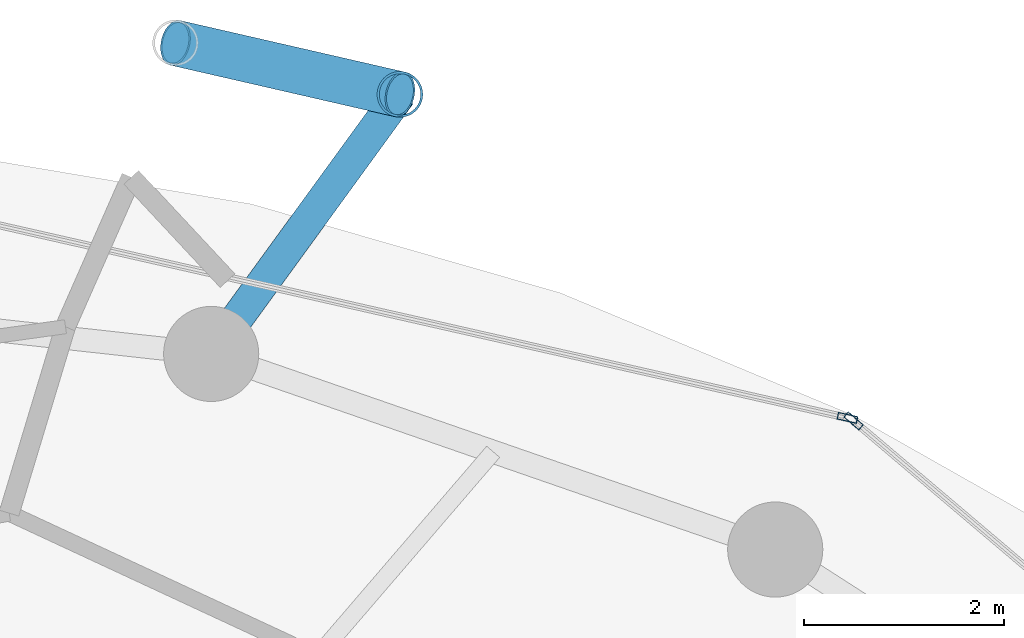
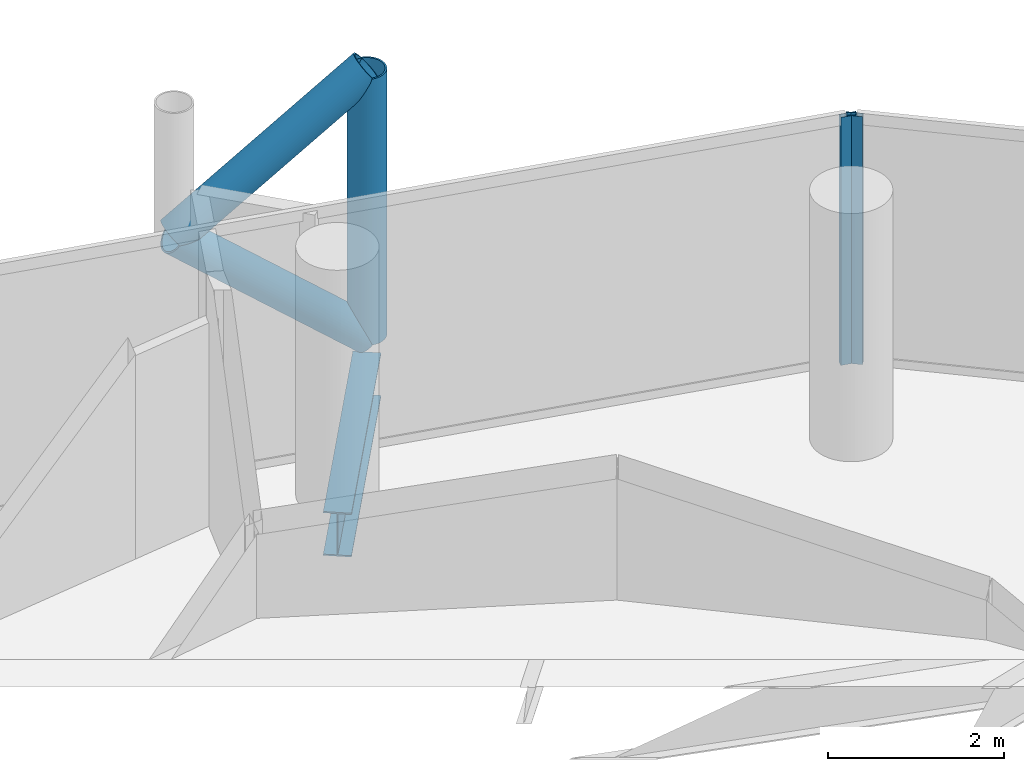
# One storey, part 20 of 26: 5 members, 1 beam, 2 elements without a shape of their own.
"""IFC4 building model written with IfcOpenShell, lengths in metres."""

import ifcopenshell
import ifcopenshell.guid

model = None  # the IFC model being written
_history = None  # IfcOwnerHistory: only IFC2X3 demands one
_inside = {}  # id of a spatial element -> (the spatial element, [elements in it])
_under = {}  # id of a project, library or spatial element -> (it, [spatial elements below it])
_declared = {}  # id of a project -> (the project, [libraries it declares])
_typed = {}  # id of a type object -> (the type object, [elements of that type])
_made_of = {}  # id of a material, layer set ... -> (it, [elements and type objects made of it])


def new_model(schema):
    """Start an empty IFC model of exactly this schema.

    Asked for "IFC4X3", IfcOpenShell would pick the latest addendum, in which some entities
    have other attributes; the version numbers below select the first issue.
    IFC2X3 requires an IfcOwnerHistory on every rooted entity: one is made here for all.
    """
    global model, _history
    if schema == "IFC4X3":
        model = ifcopenshell.file(schema_version=(4, 3, 0, 0))
    else:
        model = ifcopenshell.file(schema=schema)
    _inside.clear()
    _under.clear()
    _declared.clear()
    _typed.clear()
    _made_of.clear()
    _history = None
    if model.schema == "IFC2X3":
        org = make("IfcOrganization", Name="unknown")
        user = make(
            "IfcPersonAndOrganization",
            ThePerson=make("IfcPerson", FamilyName="unknown"),
            TheOrganization=org,
        )
        app = make(
            "IfcApplication",
            ApplicationDeveloper=org,
            Version="unknown",
            ApplicationFullName="unknown",
            ApplicationIdentifier="unknown",
        )
        _history = make(
            "IfcOwnerHistory",
            OwningUser=user,
            OwningApplication=app,
            ChangeAction="ADDED",
            CreationDate=0,
        )
    return model


def make(cls, **values):
    """One entity of the class cls with the attributes given. An attribute that is None is left unset."""
    return model.create_entity(
        cls, **{name: value for name, value in values.items() if value is not None}
    )


def rooted(cls, **values):
    """An entity with a GlobalId (a new one), such as an element, a storey or a relation."""
    return make(cls, GlobalId=ifcopenshell.guid.new(), OwnerHistory=_history, **values)


def si_unit(unit_type, name, prefix=None):
    """IfcSIUnit, for example si_unit("LENGTHUNIT", "METRE", prefix="MILLI")."""
    return make("IfcSIUnit", UnitType=unit_type, Prefix=prefix, Name=name)


def assignment(units):
    """IfcUnitAssignment: the units of a project."""
    return None if units is None else make("IfcUnitAssignment", Units=units)


def point(xyz):
    """IfcCartesianPoint."""
    return None if xyz is None else make("IfcCartesianPoint", Coordinates=xyz)


def direction(xyz):
    """IfcDirection."""
    return None if xyz is None else make("IfcDirection", DirectionRatios=xyz)


def frame(location, z_axis=None, x_axis=None):
    """IfcAxis2Placement3D, a coordinate frame: its origin and axes. An axis left out is left unset."""
    return make(
        "IfcAxis2Placement3D",
        Location=point(location),
        Axis=direction(z_axis),
        RefDirection=direction(x_axis),
    )


def frame_2d(location, x_axis=None):
    """IfcAxis2Placement2D, a coordinate frame in the plane: its origin and x axis."""
    return make(
        "IfcAxis2Placement2D", Location=point(location), RefDirection=direction(x_axis)
    )


def origin():
    """The frame at (0, 0, 0) with its axes left unset."""
    return frame((0.0, 0.0, 0.0))


def origin_2d():
    """The frame at (0, 0) in the plane with its x axis left unset."""
    return frame_2d((0.0, 0.0))


def place(relative_to, where):
    """IfcLocalPlacement: puts the frame where relative to a parent placement (None: the world)."""
    return make(
        "IfcLocalPlacement", PlacementRelTo=relative_to, RelativePlacement=where
    )


def context(
    kind, dimensions, precision=None, world=None, true_north=None, identifier=None
):
    """IfcGeometricRepresentationContext, for example the 3D "Model" context."""
    return make(
        "IfcGeometricRepresentationContext",
        ContextIdentifier=identifier,
        ContextType=kind,
        CoordinateSpaceDimension=dimensions,
        Precision=precision,
        WorldCoordinateSystem=world,
        TrueNorth=true_north,
    )


def subcontext(parent, identifier, kind, view, scale=None):
    """IfcGeometricRepresentationSubContext, for example "Body" below "Model"."""
    return make(
        "IfcGeometricRepresentationSubContext",
        ContextIdentifier=identifier,
        ContextType=kind,
        ParentContext=parent,
        TargetScale=scale,
        TargetView=view,
    )


def project(units=None, contexts=None):
    """IfcProject with its units and contexts."""
    return rooted(
        "IfcProject",
        Name="project",
        RepresentationContexts=contexts,
        UnitsInContext=assignment(units),
    )


def spatial(cls, under=None, at=None, **own):
    """A site, building, storey or space (cls), placed at a placement, below another one or the project."""
    s = rooted(cls, ObjectPlacement=at, **own)
    if under is not None:
        _under.setdefault(under.id(), (under, []))[1].append(s)
    return s


def profile(cls, at=None, kind="AREA", **sizes):
    """A parametric profile (cls). Its sizes go by their IFC names, for example OverallWidth=200.0."""
    return make(cls, ProfileType=kind, Position=at, **sizes)


def hollow_rectangle(**sizes):
    """IfcRectangleHollowProfileDef."""
    return profile("IfcRectangleHollowProfileDef", **sizes)


def hollow_circle(**sizes):
    """IfcCircleHollowProfileDef."""
    return profile("IfcCircleHollowProfileDef", **sizes)


def i_section(**sizes):
    """IfcIShapeProfileDef."""
    return profile("IfcIShapeProfileDef", **sizes)


def extrude(swept, where, along, depth):
    """IfcExtrudedAreaSolid: the profile swept, set in the frame where, extruded along a direction by depth."""
    return make(
        "IfcExtrudedAreaSolid",
        SweptArea=swept,
        Position=where,
        ExtrudedDirection=direction(along),
        Depth=depth,
    )


def shape(context_of_items, identifier, shape_type, items):
    """IfcShapeRepresentation: the items that make up one representation, for example the "Body"."""
    return make(
        "IfcShapeRepresentation",
        ContextOfItems=context_of_items,
        RepresentationIdentifier=identifier,
        RepresentationType=shape_type,
        Items=items,
    )


def material(Name=None, Category=None):
    """IfcMaterial."""
    return make("IfcMaterial", Name=Name, Category=Category)


def layer(
    of_material, thickness, ventilated=None, Name=None, Category=None, Priority=None
):
    """IfcMaterialLayer: one layer of a wall or slab, of a material (None: an air gap)."""
    return make(
        "IfcMaterialLayer",
        Material=of_material,
        LayerThickness=thickness,
        IsVentilated=ventilated,
        Name=Name,
        Category=Category,
        Priority=Priority,
    )


def layer_set(layers, Name=None):
    """IfcMaterialLayerSet."""
    return make("IfcMaterialLayerSet", MaterialLayers=layers, LayerSetName=Name)


def material_profile(
    of_material, cross_section, Name=None, Category=None, Priority=None
):
    """IfcMaterialProfile: a cross section and its material."""
    return make(
        "IfcMaterialProfile",
        Name=Name,
        Material=of_material,
        Profile=cross_section,
        Priority=Priority,
        Category=Category,
    )


def profile_set(profiles, Name=None, composite=None):
    """IfcMaterialProfileSet."""
    return make(
        "IfcMaterialProfileSet",
        Name=Name,
        MaterialProfiles=profiles,
        CompositeProfile=composite,
    )


def made_of(thing, what):
    """Note that an element or type object is made of a material, layer set ...; save() writes the relation."""
    if what is not None:
        _made_of.setdefault(what.id(), (what, []))[1].append(thing)
    return thing


def type_object(cls, material=None, **own):
    """A type object (cls), such as IfcWallType, which elements share."""
    return made_of(rooted(cls, **own), material)


def element(
    cls,
    number,
    at=None,
    inside=None,
    cuts=None,
    type_object=None,
    material=None,
    context=None,
    identifier="Body",
    shape_type=None,
    held_by="IfcProductDefinitionShape",
    body=None,
    shapes=None,
    **own,
):
    """One element of the class cls, such as IfcWall. Its Tag is "e" and its number.

    at: its placement. inside: the storey or other place that contains it. cuts: it is an
    opening in that element (IfcRelVoidsElement). A single representation is given by context,
    identifier, shape_type and body (its items); several are given by shapes. held_by: the class
    of the entity that holds the representations. save() writes the other relations.
    """
    e = rooted(cls, Tag="e%d" % number, ObjectPlacement=at, **own)
    if body is not None:
        shapes = [shape(context, identifier, shape_type, body)]
    if shapes is not None:
        e.Representation = make(held_by, Representations=shapes)
    if inside is not None:
        _inside.setdefault(inside.id(), (inside, []))[1].append(e)
    if cuts is not None:
        rooted(
            "IfcRelVoidsElement", RelatingBuildingElement=cuts, RelatedOpeningElement=e
        )
    if type_object is not None:
        _typed.setdefault(type_object.id(), (type_object, []))[1].append(e)
    return made_of(e, material)


def aggregate(whole, parts):
    """IfcRelAggregates: a whole, such as a stair, and the parts it consists of."""
    return rooted("IfcRelAggregates", RelatingObject=whole, RelatedObjects=parts)


def save(model, path):
    """Write the relations noted so far, then the file.

    IfcRelAggregates (storeys below a building ...), IfcRelContainedInSpatialStructure (elements
    in a storey), IfcRelDefinesByType, IfcRelAssociatesMaterial and IfcRelDeclares: one each for
    every whole, place, type object, material and project.
    """
    for whole, parts in _under.values():
        aggregate(whole, parts)
    for where, things in _inside.values():
        rooted(
            "IfcRelContainedInSpatialStructure",
            RelatedElements=things,
            RelatingStructure=where,
        )
    for kind, things in _typed.values():
        rooted("IfcRelDefinesByType", RelatedObjects=things, RelatingType=kind)
    for what, things in _made_of.values():
        rooted("IfcRelAssociatesMaterial", RelatedObjects=things, RelatingMaterial=what)
    for by, libraries in _declared.values():
        rooted("IfcRelDeclares", RelatingContext=by, RelatedDefinitions=libraries)
    model.write(path)


model = new_model("IFC4")

# Units and contexts
model_context = context("Model", 3, precision=1e-05, world=origin(), true_north=direction((0.0, 1.0)))
body_context = subcontext(model_context, "Body", "Model", "MODEL_VIEW")
ifc_project = project(units=[si_unit("LENGTHUNIT", "METRE"), si_unit("AREAUNIT", "SQUARE_METRE"), si_unit("VOLUMEUNIT", "CUBIC_METRE"), si_unit("PLANEANGLEUNIT", "RADIAN"), si_unit("MASSUNIT", "GRAM", prefix="KILO")], contexts=[model_context])

# Site, building, storey
site_placement = place(None, origin())
site = spatial("IfcSite", under=ifc_project, at=site_placement, CompositionType="ELEMENT")
building_placement = place(site_placement, origin())
building = spatial("IfcBuilding", under=site, at=building_placement, Name="Nuhasar Tower", CompositionType="ELEMENT")
storey_placement = place(building_placement, frame((0.0, 0.0, 170.050048828125)))
storey = spatial("IfcBuildingStorey", under=building, at=storey_placement, Name="L41", CompositionType="ELEMENT", Elevation=170.050048828125)

# Beam
ifc_material_1 = material(Name="Steel S355", Category="steel")
ifc_material_profile_1 = material_profile(ifc_material_1, i_section(OverallWidth=0.323974609375, OverallDepth=0.611083984375, WebThickness=0.0126953125, FlangeThickness=0.01904296875, at=origin_2d()), Name="W24X104")
ifc_profile_set_1 = profile_set([ifc_material_profile_1], Name="Steel S355")
beam_type = type_object("IfcBeamType", Name="BM-TIE-W24X104", PredefinedType="BEAM", material=ifc_profile_set_1)
beam_placement = place(storey_placement, frame((45.04296875, 45.68408203125, -0.554931640625), z_axis=(0.588185286445, 0.808726201387, 0.0), x_axis=(-0.808726201387, 0.588185286445, 0.0)))
element("IfcBeam", 1, at=beam_placement, inside=storey, type_object=beam_type, Name="L41 Exoskeleton Node Tie Beam 03", PredefinedType="BEAM", context=body_context, shape_type="SweptSolid", body=[
    extrude(i_section(OverallWidth=0.323974609375, OverallDepth=0.611083984375, WebThickness=0.0126953125, FlangeThickness=0.01904296875, at=origin_2d()), origin(), (0.0, 0.0, 1.0), 3.204833984375),
])

# Curtain wall, member
ifc_material_2 = material(Name="Aluminium 6063-T6", Category="aluminium")
ifc_layer = layer(ifc_material_2, 0.199951171875)
ifc_layer_set = layer_set([ifc_layer], Name="Aluminium 6063-T6")
curtain_wall_type = type_object("IfcCurtainWallType", Name="CW-Z2-HTL", PredefinedType="NOTDEFINED", material=ifc_layer_set)
curtain_wall_1_placement = place(storey_placement, origin())
curtain_wall_1 = element("IfcCurtainWall", 2, at=curtain_wall_1_placement, inside=storey, type_object=curtain_wall_type, Name="L41 Unitised Curtain Wall 02", PredefinedType="NOTDEFINED")
ifc_material_profile_2 = material_profile(ifc_material_2, hollow_rectangle(XDim=0.070068359375, YDim=0.199951171875, WallThickness=0.0048828125, at=origin_2d()), Name="CWM-3")
ifc_profile_set_2 = profile_set([ifc_material_profile_2], Name="Aluminium 6063-T6")
member_type_1 = type_object("IfcMemberType", Name="CW-MUL-S3", PredefinedType="MULLION", material=ifc_profile_set_2)
member_1_placement = place(storey_placement, frame((51.456787109375, 45.015380859375, 0.0), z_axis=(0.0, 0.0, 1.0), x_axis=(-0.646374438324, -0.763020370292, 0.0)))
member_1 = element("IfcMember", 3, at=member_1_placement, type_object=member_type_1, Name="CW-Z2 mullion 2", PredefinedType="MULLION", context=body_context, shape_type="SweptSolid", body=[
    extrude(hollow_rectangle(XDim=0.070068359375, YDim=0.199951171875, WallThickness=0.0048828125, at=origin_2d()), origin(), (0.0, 0.0, 1.0), 3.449951171875),
])
aggregate(curtain_wall_1, [member_1])

curtain_wall_2_placement = place(storey_placement, origin())
curtain_wall_2 = element("IfcCurtainWall", 4, at=curtain_wall_2_placement, inside=storey, type_object=curtain_wall_type, Name="L41 Unitised Curtain Wall 03", PredefinedType="NOTDEFINED")
member_2_placement = place(storey_placement, frame((51.395751953125, 45.045654296875, 0.0), z_axis=(0.0, 0.0, 1.0), x_axis=(-0.22139729566, -0.975183694221, 0.0)))
member_2 = element("IfcMember", 5, at=member_2_placement, type_object=member_type_1, Name="CW-Z2 mullion 1", PredefinedType="MULLION", context=body_context, shape_type="SweptSolid", body=[
    extrude(hollow_rectangle(XDim=0.070068359375, YDim=0.199951171875, WallThickness=0.0048828125, at=origin_2d()), origin(), (0.0, 0.0, 1.0), 3.449951171875),
])
aggregate(curtain_wall_2, [member_2])

# Members
ifc_material_3 = material(Name="Steel S460", Category="steel")
ifc_material_profile_3 = material_profile(ifc_material_3, hollow_circle(Radius=0.228515625, WallThickness=0.022216796875, at=origin_2d()), Name="HSS457X22.2")
ifc_profile_set_3 = profile_set([ifc_material_profile_3], Name="Steel S460")
member_type_2 = type_object("IfcMemberType", Name="EXO-BRONZE-457", PredefinedType="BRACE", material=ifc_profile_set_3)
member_3_placement = place(storey_placement, frame((46.927978515625, 48.27587890625, 0.0), z_axis=(0.0, 0.0, 1.0), x_axis=(1.0, 0.0, 0.0)))
element("IfcMember", 6, at=member_3_placement, inside=storey, type_object=member_type_2, Name="L41 Exoskeleton Chord Column EC-03A", PredefinedType="BRACE", context=body_context, shape_type="SweptSolid", body=[
    extrude(hollow_circle(Radius=0.228515625, WallThickness=0.022216796875, at=origin_2d()), origin(), (0.0, 0.0, 1.0), 3.699951171875),
])
member_4_placement = place(storey_placement, frame((46.927978515625, 48.27587890625, 0.0), z_axis=(-0.759538919781, 0.174190239035, 0.626704388019), x_axis=(-0.223533724104, -0.974696195842, 0.0)))
element("IfcMember", 7, at=member_4_placement, inside=storey, type_object=member_type_2, Name="L41 Bronze Diagrid Brace W1-03", PredefinedType="BRACE", context=body_context, shape_type="SweptSolid", body=[
    extrude(hollow_circle(Radius=0.228515625, WallThickness=0.022216796875, at=origin_2d()), origin(), (0.0, 0.0, 1.0), 2.95166015625),
])
member_5_placement = place(storey_placement, frame((44.68603515625, 48.7900390625, 1.849853515625), z_axis=(0.759499549084, -0.174181209885, 0.626754609927), x_axis=(0.223533724104, 0.974696195842, 0.0)))
element("IfcMember", 8, at=member_5_placement, inside=storey, type_object=member_type_2, Name="L41 Bronze Diagrid Brace W2-03", PredefinedType="BRACE", context=body_context, shape_type="SweptSolid", body=[
    extrude(hollow_circle(Radius=0.228515625, WallThickness=0.022216796875, at=origin_2d()), origin(), (0.0, 0.0, 1.0), 2.951904296875),
])

save(model, "model.ifc")
